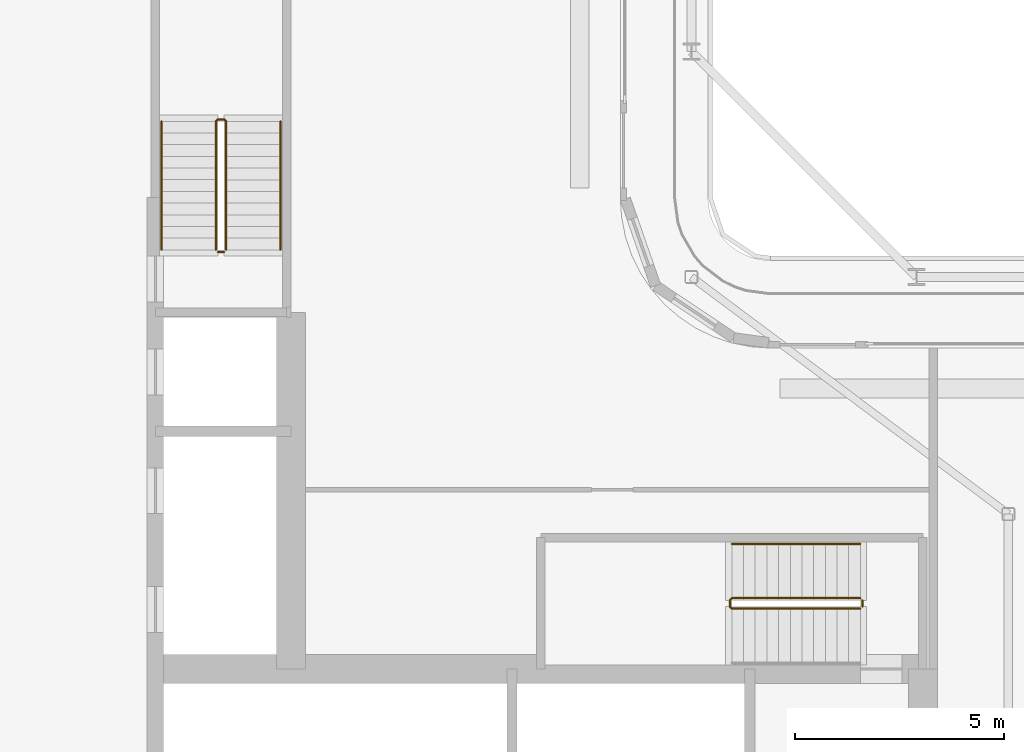
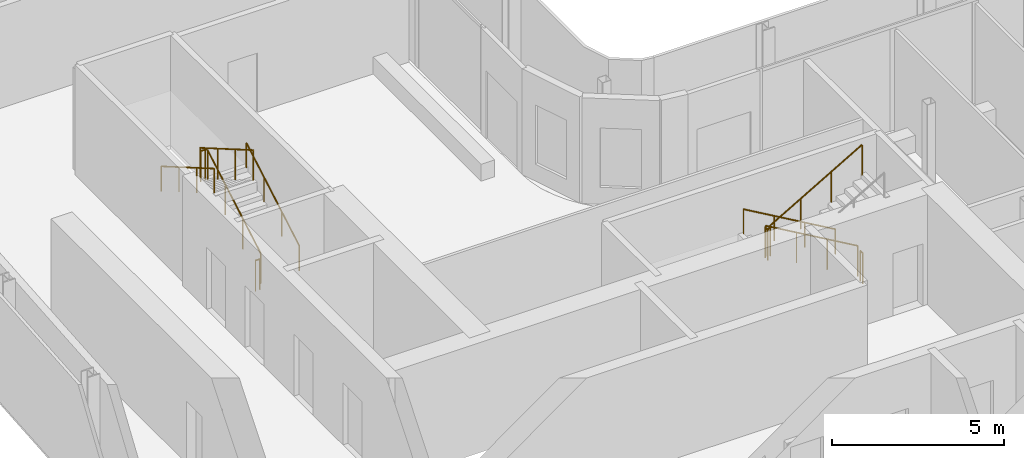
# One storey, part 18 of 23: 7 railings.
"""IFC4 building model written with IfcOpenShell, lengths in metres."""

from ifc_helpers import new_model, si_unit, direction, frame, origin, origin_2d, place, context, subcontext, project, spatial, circle, extrude, material, type_object, element, save


model = new_model("IFC4")

# Units and contexts
model_context = context("Model", 3, precision=1e-05, world=origin(), true_north=direction((0.0, 1.0)))
body_context = subcontext(model_context, "Body", "Model", "MODEL_VIEW")
ifc_project = project(units=[si_unit("LENGTHUNIT", "METRE"), si_unit("AREAUNIT", "SQUARE_METRE"), si_unit("VOLUMEUNIT", "CUBIC_METRE"), si_unit("PLANEANGLEUNIT", "RADIAN"), si_unit("MASSUNIT", "GRAM", prefix="KILO")], contexts=[model_context])

# Site, building, storey
site_placement = place(None, origin())
site = spatial("IfcSite", under=ifc_project, at=site_placement, CompositionType="ELEMENT")
building_placement = place(site_placement, origin())
building = spatial("IfcBuilding", under=site, at=building_placement, Name="Kheshtan School and Residences Tower", CompositionType="ELEMENT")
storey_placement = place(building_placement, frame((0.0, 0.0, 239.60009765625)))
storey = spatial("IfcBuildingStorey", under=building, at=storey_placement, Name="L56", CompositionType="ELEMENT", Elevation=239.60009765625)

# Railings
ifc_material_1 = material(Name="Stainless steel balustrade", Category="steel")
railing_type_1 = type_object("IfcRailingType", Name="Stair guard 1100", PredefinedType="GUARDRAIL", material=ifc_material_1)
railing_1_placement = place(storey_placement, frame((51.64990234375, 37.89990234375, 0.162353515625)))
element("IfcRailing", 1, at=railing_1_placement, inside=storey, type_object=railing_type_1, Name="L56 ST1 stair guard 1", PredefinedType="GUARDRAIL", context=body_context, shape_type="SweptSolid", body=[
    extrude(circle(Radius=0.02392578125, at=origin_2d()), frame((0.0, 0.0, 1.076171875), z_axis=(-0.864873446163, 0.0, 0.501989962173), x_axis=(0.0, -1.0, 0.0)), (0.0, 0.0, 1.0), 3.56103515625),
    extrude(circle(Radius=0.02392578125, at=origin_2d()), frame((-3.079833984375, 0.0, 2.86376953125), z_axis=(-0.708833529934, -0.705375805398, 0.0), x_axis=(0.705375805398, -0.708833529934, 0.0)), (0.0, 0.0, 1.0), 0.070556640625),
    extrude(circle(Radius=0.02392578125, at=origin_2d()), frame((-3.1298828125, -0.0498046875, 2.86376953125), z_axis=(0.0, -1.0, 0.0), x_axis=(1.0, 0.0, 0.0)), (0.0, 0.0, 1.0), 0.150146484375),
    extrude(circle(Radius=0.02392578125, at=origin_2d()), frame((-3.1298828125, -0.199951171875, 2.86376953125), z_axis=(0.282583949758, -0.282583949758, 0.916674763849), x_axis=(0.707106781187, 0.707106781187, 0.0)), (0.0, 0.0, 1.0), 0.177001953125),
    extrude(circle(Radius=0.02392578125, at=origin_2d()), frame((-3.079833984375, -0.25, 3.02587890625), z_axis=(0.864873446163, 0.0, 0.501989962173), x_axis=(0.0, 1.0, 0.0)), (0.0, 0.0, 1.0), 3.56103515625),
    extrude(circle(Radius=0.02099609375, at=origin_2d()), origin(), (0.0, 0.0, 1.0), 1.052001953125),
    extrude(circle(Radius=0.02099609375, at=origin_2d()), frame((-1.026611328125, 0.0, 0.595947265625)), (0.0, 0.0, 1.0), 1.052001953125),
    extrude(circle(Radius=0.02099609375, at=origin_2d()), frame((-2.05322265625, 0.0, 1.191650390625)), (0.0, 0.0, 1.0), 1.052001953125),
    extrude(circle(Radius=0.02099609375, at=origin_2d()), frame((-3.079833984375, 0.0, 1.78759765625)), (0.0, 0.0, 1.0), 1.052001953125),
    extrude(circle(Radius=0.02099609375, at=origin_2d()), frame((-3.1298828125, -0.0498046875, 1.78759765625)), (0.0, 0.0, 1.0), 1.052001953125),
    extrude(circle(Radius=0.02099609375, at=origin_2d()), frame((-3.1298828125, -0.199951171875, 1.78759765625)), (0.0, 0.0, 1.0), 1.052001953125),
    extrude(circle(Radius=0.02099609375, at=origin_2d()), frame((-3.079833984375, -0.25, 1.949951171875)), (0.0, 0.0, 1.0), 1.052001953125),
    extrude(circle(Radius=0.02099609375, at=origin_2d()), frame((-2.05322265625, -0.25, 2.5458984375)), (0.0, 0.0, 1.0), 1.052001953125),
    extrude(circle(Radius=0.02099609375, at=origin_2d()), frame((-1.026611328125, -0.25, 3.1416015625)), (0.0, 0.0, 1.0), 1.052001953125),
    extrude(circle(Radius=0.02099609375, at=origin_2d()), frame((0.0, -0.25, 3.737548828125)), (0.0, 0.0, 1.0), 1.052001953125),
])
railing_2_placement = place(storey_placement, frame((51.699951171875, 37.85009765625, 0.0)))
element("IfcRailing", 2, at=railing_2_placement, inside=storey, type_object=railing_type_1, Name="L56 ST1 stair guard 2", PredefinedType="GUARDRAIL", context=body_context, shape_type="SweptSolid", body=[
    extrude(circle(Radius=0.02392578125, at=origin_2d()), frame((0.0, 0.0, 1.076171875), z_axis=(0.0, -1.0, 0.0), x_axis=(1.0, 0.0, 0.0)), (0.0, 0.0, 1.0), 0.150146484375),
    extrude(circle(Radius=0.02099609375, at=origin_2d()), origin(), (0.0, 0.0, 1.0), 1.052001953125),
    extrude(circle(Radius=0.02099609375, at=origin_2d()), frame((0.0, -0.150146484375, 0.0)), (0.0, 0.0, 1.0), 1.052001953125),
])
railing_3_placement = place(storey_placement, frame((36.449951171875, 46.25, 0.162353515625)))
element("IfcRailing", 3, at=railing_3_placement, inside=storey, type_object=railing_type_1, Name="L56 ST2 stair guard 1", PredefinedType="GUARDRAIL", context=body_context, shape_type="SweptSolid", body=[
    extrude(circle(Radius=0.02392578125, at=origin_2d()), frame((0.0, 0.0, 1.076171875), z_axis=(0.0, 0.864890721111, 0.501960198159), x_axis=(-1.0, 0.0, 0.0)), (0.0, 0.0, 1.0), 3.561279296875),
    extrude(circle(Radius=0.02392578125, at=origin_2d()), frame((0.0, 3.080078125, 2.86376953125), z_axis=(-0.708833529934, 0.705375805398, 0.0), x_axis=(-0.705375805398, -0.708833529934, 0.0)), (0.0, 0.0, 1.0), 0.070556640625),
    extrude(circle(Radius=0.02392578125, at=origin_2d()), frame((-0.050048828125, 3.1298828125, 2.86376953125), z_axis=(-1.0, 0.0, 0.0), x_axis=(0.0, -1.0, 0.0)), (0.0, 0.0, 1.0), 0.14990234375),
    extrude(circle(Radius=0.02392578125, at=origin_2d()), frame((-0.199951171875, 3.1298828125, 2.86376953125), z_axis=(-0.282693820306, -0.281314826061, 0.917031173188), x_axis=(0.705375805398, -0.708833529934, 0.0)), (0.0, 0.0, 1.0), 0.177001953125),
    extrude(circle(Radius=0.02392578125, at=origin_2d()), frame((-0.25, 3.080078125, 3.02587890625), z_axis=(0.0, -0.864890721111, 0.501960198159), x_axis=(1.0, 0.0, 0.0)), (0.0, 0.0, 1.0), 3.561279296875),
    extrude(circle(Radius=0.02099609375, at=origin_2d()), origin(), (0.0, 0.0, 1.0), 1.052001953125),
    extrude(circle(Radius=0.02099609375, at=origin_2d()), frame((0.0, 1.026611328125, 0.595947265625)), (0.0, 0.0, 1.0), 1.052001953125),
    extrude(circle(Radius=0.02099609375, at=origin_2d()), frame((0.0, 2.053466796875, 1.191650390625)), (0.0, 0.0, 1.0), 1.052001953125),
    extrude(circle(Radius=0.02099609375, at=origin_2d()), frame((0.0, 3.080078125, 1.78759765625)), (0.0, 0.0, 1.0), 1.052001953125),
    extrude(circle(Radius=0.02099609375, at=origin_2d()), frame((-0.050048828125, 3.1298828125, 1.78759765625)), (0.0, 0.0, 1.0), 1.052001953125),
    extrude(circle(Radius=0.02099609375, at=origin_2d()), frame((-0.199951171875, 3.1298828125, 1.78759765625)), (0.0, 0.0, 1.0), 1.052001953125),
    extrude(circle(Radius=0.02099609375, at=origin_2d()), frame((-0.25, 3.080078125, 1.949951171875)), (0.0, 0.0, 1.0), 1.052001953125),
    extrude(circle(Radius=0.02099609375, at=origin_2d()), frame((-0.25, 2.053466796875, 2.5458984375)), (0.0, 0.0, 1.0), 1.052001953125),
    extrude(circle(Radius=0.02099609375, at=origin_2d()), frame((-0.25, 1.026611328125, 3.1416015625)), (0.0, 0.0, 1.0), 1.052001953125),
    extrude(circle(Radius=0.02099609375, at=origin_2d()), frame((-0.25, 0.0, 3.737548828125)), (0.0, 0.0, 1.0), 1.052001953125),
])
railing_4_placement = place(storey_placement, frame((36.39990234375, 46.199951171875, 0.0)))
element("IfcRailing", 4, at=railing_4_placement, inside=storey, type_object=railing_type_1, Name="L56 ST2 stair guard 2", PredefinedType="GUARDRAIL", context=body_context, shape_type="SweptSolid", body=[
    extrude(circle(Radius=0.02392578125, at=origin_2d()), frame((0.0, 0.0, 1.076171875), z_axis=(-1.0, 0.0, 0.0), x_axis=(0.0, -1.0, 0.0)), (0.0, 0.0, 1.0), 0.14990234375),
    extrude(circle(Radius=0.02099609375, at=origin_2d()), origin(), (0.0, 0.0, 1.0), 1.052001953125),
    extrude(circle(Radius=0.02099609375, at=origin_2d()), frame((-0.14990234375, 0.0, 0.0)), (0.0, 0.0, 1.0), 1.052001953125),
])
ifc_material_2 = material(Name="Stainless steel handrail", Category="steel")
railing_type_2 = type_object("IfcRailingType", Name="Stair handrail 900", PredefinedType="HANDRAIL", material=ifc_material_2)
railing_5_placement = place(storey_placement, frame((51.64990234375, 39.199951171875, 0.162353515625)))
element("IfcRailing", 5, at=railing_5_placement, inside=storey, type_object=railing_type_2, Name="L56 ST1 stair handrail 1", PredefinedType="HANDRAIL", context=body_context, shape_type="SweptSolid", body=[
    extrude(circle(Radius=0.02392578125, at=origin_2d()), frame((0.0, 0.0, 0.8759765625), z_axis=(-0.864873446163, 0.0, 0.501989962173), x_axis=(0.0, -1.0, 0.0)), (0.0, 0.0, 1.0), 3.56103515625),
    extrude(circle(Radius=0.02099609375, at=origin_2d()), origin(), (0.0, 0.0, 1.0), 0.851806640625),
    extrude(circle(Radius=0.02099609375, at=origin_2d()), frame((-1.026611328125, 0.0, 0.595947265625)), (0.0, 0.0, 1.0), 0.851806640625),
    extrude(circle(Radius=0.02099609375, at=origin_2d()), frame((-2.05322265625, 0.0, 1.191650390625)), (0.0, 0.0, 1.0), 0.851806640625),
    extrude(circle(Radius=0.02099609375, at=origin_2d()), frame((-3.079833984375, 0.0, 1.78759765625)), (0.0, 0.0, 1.0), 0.851806640625),
])
railing_6_placement = place(storey_placement, frame((37.75, 46.25, 0.162353515625)))
element("IfcRailing", 6, at=railing_6_placement, inside=storey, type_object=railing_type_2, Name="L56 ST2 stair handrail 1", PredefinedType="HANDRAIL", context=body_context, shape_type="SweptSolid", body=[
    extrude(circle(Radius=0.02392578125, at=origin_2d()), frame((0.0, 0.0, 0.8759765625), z_axis=(0.0, 0.864890721111, 0.501960198159), x_axis=(-1.0, 0.0, 0.0)), (0.0, 0.0, 1.0), 3.561279296875),
    extrude(circle(Radius=0.02099609375, at=origin_2d()), origin(), (0.0, 0.0, 1.0), 0.851806640625),
    extrude(circle(Radius=0.02099609375, at=origin_2d()), frame((0.0, 1.026611328125, 0.595947265625)), (0.0, 0.0, 1.0), 0.851806640625),
    extrude(circle(Radius=0.02099609375, at=origin_2d()), frame((0.0, 2.053466796875, 1.191650390625)), (0.0, 0.0, 1.0), 0.851806640625),
    extrude(circle(Radius=0.02099609375, at=origin_2d()), frame((0.0, 3.080078125, 1.78759765625)), (0.0, 0.0, 1.0), 0.851806640625),
])
railing_7_placement = place(storey_placement, frame((34.89990234375, 49.330078125, 2.1123046875)))
element("IfcRailing", 7, at=railing_7_placement, inside=storey, type_object=railing_type_2, Name="L56 ST2 stair handrail 2", PredefinedType="HANDRAIL", context=body_context, shape_type="SweptSolid", body=[
    extrude(circle(Radius=0.02392578125, at=origin_2d()), frame((0.0, 0.0, 0.8759765625), z_axis=(0.0, -0.864890721111, 0.501960198159), x_axis=(1.0, 0.0, 0.0)), (0.0, 0.0, 1.0), 3.561279296875),
    extrude(circle(Radius=0.02099609375, at=origin_2d()), origin(), (0.0, 0.0, 1.0), 0.851806640625),
    extrude(circle(Radius=0.02099609375, at=origin_2d()), frame((0.0, -1.026611328125, 0.595947265625)), (0.0, 0.0, 1.0), 0.851806640625),
    extrude(circle(Radius=0.02099609375, at=origin_2d()), frame((0.0, -2.053466796875, 1.191650390625)), (0.0, 0.0, 1.0), 0.851806640625),
    extrude(circle(Radius=0.02099609375, at=origin_2d()), frame((0.0, -3.080078125, 1.78759765625)), (0.0, 0.0, 1.0), 0.851806640625),
])

save(model, "model.ifc")
